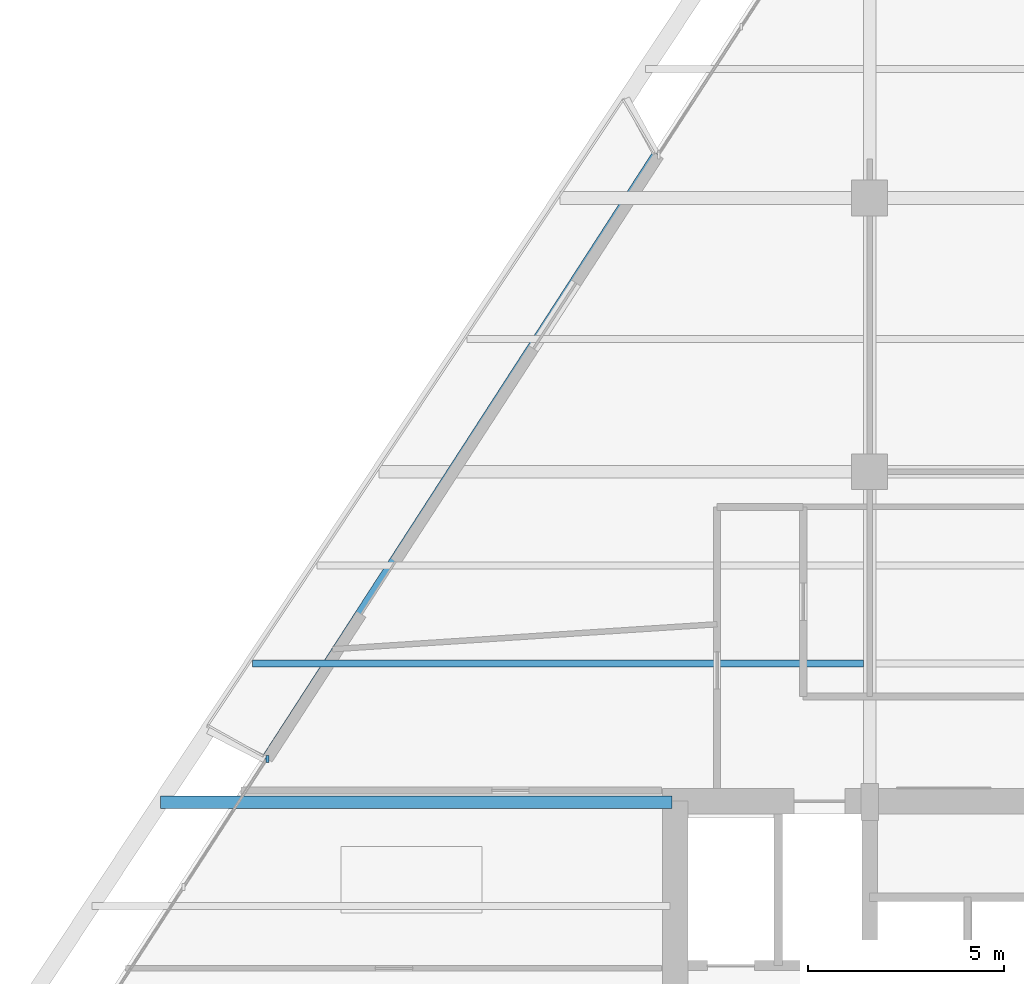
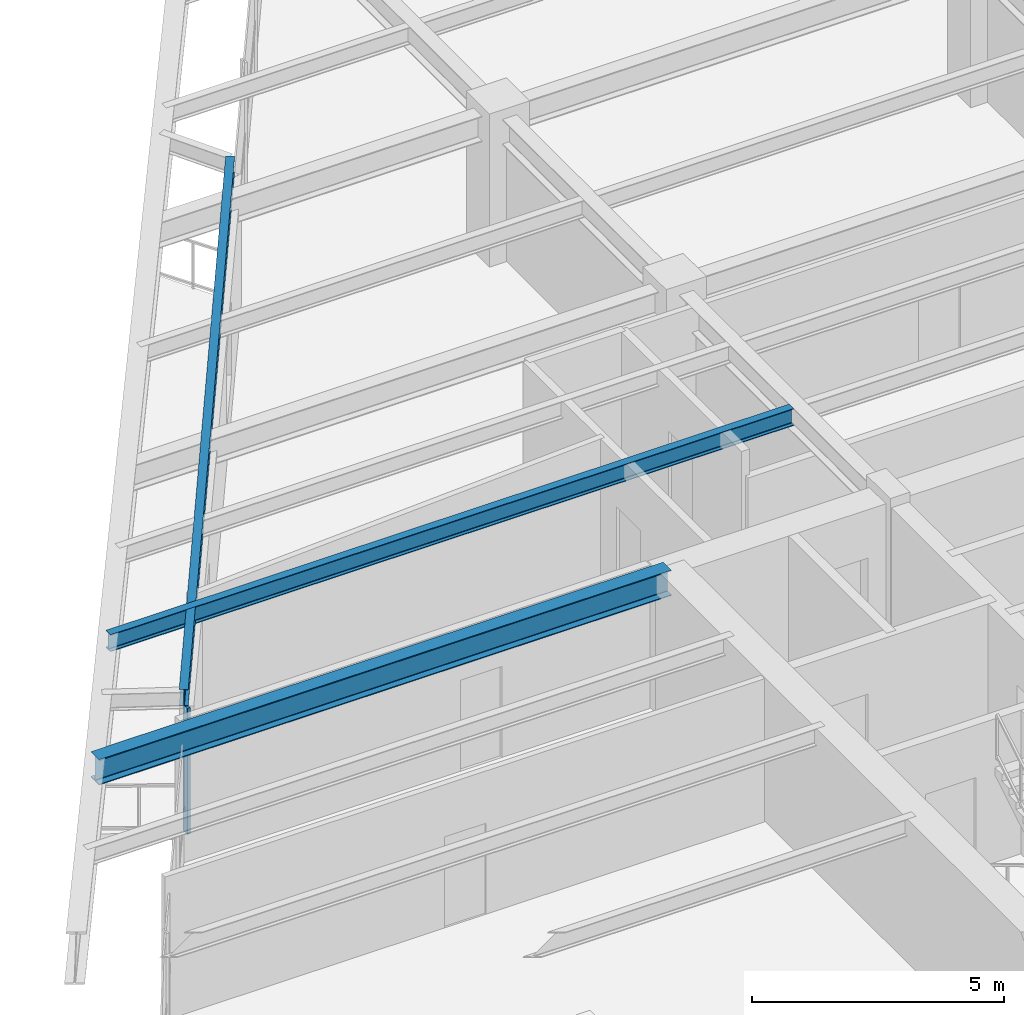
# One storey, part 4 of 15: 3 beams, 1 member, 1 element without a shape of its own.
"""IFC4 building model written with IfcOpenShell, lengths in metres."""

from ifc_helpers import new_model, si_unit, direction, frame, origin, origin_2d, place, context, subcontext, project, spatial, rectangle, i_section, extrude, source, transform, mapped, material, material_profile, profile_set, type_object, type_shapes, element, aggregate, save


model = new_model("IFC4")

# Units and contexts
model_context = context("Model", 3, precision=1e-05, world=origin(), true_north=direction((0.0, 1.0)))
body_context = subcontext(model_context, "Body", "Model", "MODEL_VIEW")
ifc_project = project(units=[si_unit("LENGTHUNIT", "METRE"), si_unit("AREAUNIT", "SQUARE_METRE"), si_unit("VOLUMEUNIT", "CUBIC_METRE"), si_unit("PLANEANGLEUNIT", "RADIAN"), si_unit("MASSUNIT", "GRAM", prefix="KILO")], contexts=[model_context])

# Site, building, storey
site_placement = place(None, origin())
site = spatial("IfcSite", under=ifc_project, at=site_placement, CompositionType="ELEMENT")
building_placement = place(site_placement, origin())
building = spatial("IfcBuilding", under=site, at=building_placement, Name="Varnakhor Terracotta Tower", CompositionType="ELEMENT")
storey_placement = place(building_placement, frame((0.0, 0.0, 144.10009765625)))
storey = spatial("IfcBuildingStorey", under=building, at=storey_placement, Name="L36", CompositionType="ELEMENT", Elevation=144.10009765625)

# Beams
ifc_material_1 = material(Name="Steel S355", Category="steel")
ifc_material_profile_1 = material_profile(ifc_material_1, i_section(OverallWidth=0.179931640625, OverallDepth=0.39990234375, WebThickness=0.008544921875, FlangeThickness=0.013427734375, FilletRadius=0.01806640625, at=origin_2d()), Name="IPE400")
ifc_profile_set_1 = profile_set([ifc_material_profile_1], Name="Steel S355")
beam_type_1 = type_object("IfcBeamType", Name="JST-IPE400", PredefinedType="JOIST", material=ifc_profile_set_1)
shared_shape_1 = source(origin(), body_context, "Body", "SweptSolid", [
    extrude(i_section(OverallWidth=0.179931640625, OverallDepth=0.39990234375, WebThickness=0.008544921875, FlangeThickness=0.013427734375, FilletRadius=0.01806640625, at=origin_2d()), origin(), (0.0, 0.0, 1.0), 18.445068359375),
])
beam_1_placement = place(storey_placement, frame((-10.964111328125, 32.643310546875, 3.27001953125), z_axis=(-0.54261669094, -0.839980432339, 0.0), x_axis=(0.839980432339, -0.54261669094, 0.0)))
element("IfcBeam", 1, at=beam_1_placement, inside=storey, type_object=beam_type_1, Name="L36 Loggia Edge Beam 2", PredefinedType="JOIST", context=body_context, shape_type="MappedRepresentation", body=[
    mapped(shared_shape_1, transform((0.0, 0.0, 0.0), scale=1.0)),
])
ifc_material_profile_2 = material_profile(ifc_material_1, i_section(OverallWidth=0.324951171875, OverallDepth=0.615966796875, WebThickness=0.013916015625, FlangeThickness=0.02197265625, FilletRadius=0.01806640625, at=origin_2d()), Name="W24X117")
ifc_profile_set_2 = profile_set([ifc_material_profile_2], Name="Steel S355")
beam_type_2 = type_object("IfcBeamType", Name="BM-W24X117", PredefinedType="BEAM", material=ifc_profile_set_2)
shared_shape_2 = source(origin(), body_context, "Body", "SweptSolid", [
    extrude(i_section(OverallWidth=0.324951171875, OverallDepth=0.615966796875, WebThickness=0.013916015625, FlangeThickness=0.02197265625, FilletRadius=0.01806640625, at=origin_2d()), origin(), (0.0, 0.0, 1.0), 13.08349609375),
])
beam_2_placement = place(storey_placement, frame((-23.633544921875, 16.050048828125, 3.161865234375), z_axis=(1.0, 0.0, 0.0), x_axis=(0.0, 1.0, 0.0)))
element("IfcBeam", 2, at=beam_2_placement, inside=storey, type_object=beam_type_2, Name="L36 Wing Girder W", PredefinedType="BEAM", context=body_context, shape_type="MappedRepresentation", body=[
    mapped(shared_shape_2, transform((0.0, 0.0, 0.0), scale=1.0)),
])
ifc_material_profile_3 = material_profile(ifc_material_1, i_section(OverallWidth=0.179931640625, OverallDepth=0.4130859375, WebThickness=0.009765625, FlangeThickness=0.01611328125, FilletRadius=0.01806640625, at=origin_2d()), Name="W16X50")
ifc_profile_set_3 = profile_set([ifc_material_profile_3], Name="Steel S355")
beam_type_3 = type_object("IfcBeamType", Name="JST-W16X50", PredefinedType="JOIST", material=ifc_profile_set_3)
shared_shape_3 = source(origin(), body_context, "Body", "SweptSolid", [
    extrude(i_section(OverallWidth=0.179931640625, OverallDepth=0.4130859375, WebThickness=0.009765625, FlangeThickness=0.01611328125, FilletRadius=0.01806640625, at=origin_2d()), origin(), (0.0, 0.0, 1.0), 15.62646484375),
])
beam_3_placement = place(storey_placement, frame((-21.284912109375, 19.60009765625, 3.263427734375), z_axis=(1.0, 0.0, 0.0), x_axis=(0.0, 1.0, 0.0)))
element("IfcBeam", 3, at=beam_3_placement, inside=storey, type_object=beam_type_3, Name="L36 Composite Floor Joist 4-1", PredefinedType="JOIST", context=body_context, shape_type="MappedRepresentation", body=[
    mapped(shared_shape_3, transform((0.0, 0.0, 0.0), scale=1.0)),
])

# Curtain wall, member
ifc_material_2 = material(Name="Anodised Aluminium Curtain Wall System", Category="aluminium")
curtain_wall_type = type_object("IfcCurtainWallType", Name="CW-SYS-MID-OFFICE", PredefinedType="NOTDEFINED", material=ifc_material_2)
curtain_wall_placement = place(storey_placement, origin())
curtain_wall = element("IfcCurtainWall", 4, at=curtain_wall_placement, inside=storey, type_object=curtain_wall_type, Name="L36 W Facet Curtain Wall 1", PredefinedType="NOTDEFINED")
ifc_material_3 = material(Name="Anodised Aluminium 6063-T6", Category="aluminium")
ifc_material_profile_4 = material_profile(ifc_material_3, rectangle(XDim=0.070068359375, YDim=0.175048828125, at=origin_2d()), Name="ALU MULLION 70x175")
ifc_profile_set_4 = profile_set([ifc_material_profile_4], Name="Anodised Aluminium 6063-T6")
member_type = type_object("IfcMemberType", Name="CWM-03", PredefinedType="MULLION", material=ifc_profile_set_4)
shared_shape_4 = source(origin(), body_context, "Body", "SweptSolid", [
    extrude(rectangle(XDim=0.070068359375, YDim=0.175048828125, at=origin_2d()), origin(), (0.0, 0.0, 1.0), 3.0498046875),
])
type_shapes(member_type, [shared_shape_4])
member_placement = place(storey_placement, frame((-20.9013671875, 17.151611328125, 0.0), z_axis=(0.0, 0.0, 1.0), x_axis=(1.0, 0.0, 0.0)))
member = element("IfcMember", 5, at=member_placement, type_object=member_type, Name="L36 W Loggia Jamb Closure Mullion 1", PredefinedType="MULLION", context=body_context, shape_type="MappedRepresentation", body=[
    mapped(shared_shape_4, transform((0.0, 0.0, 0.0), scale=1.0)),
])
aggregate(curtain_wall, [member])

save(model, "model.ifc")
